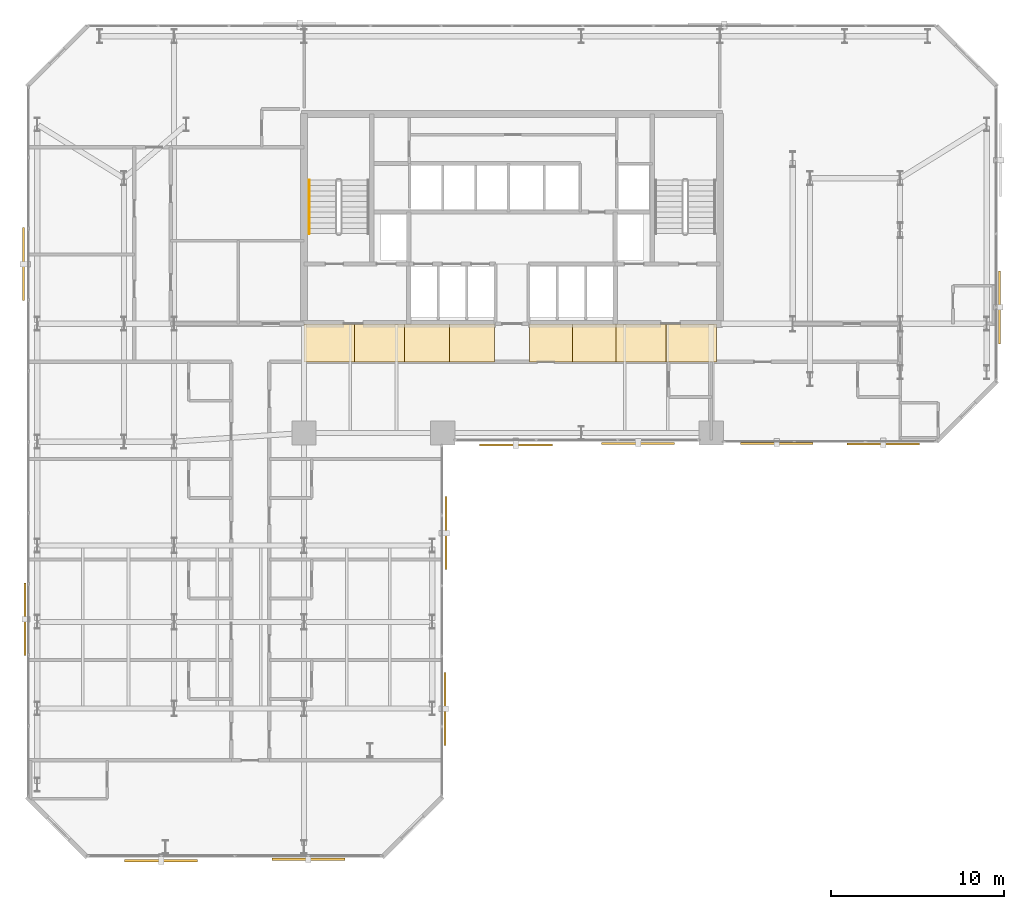
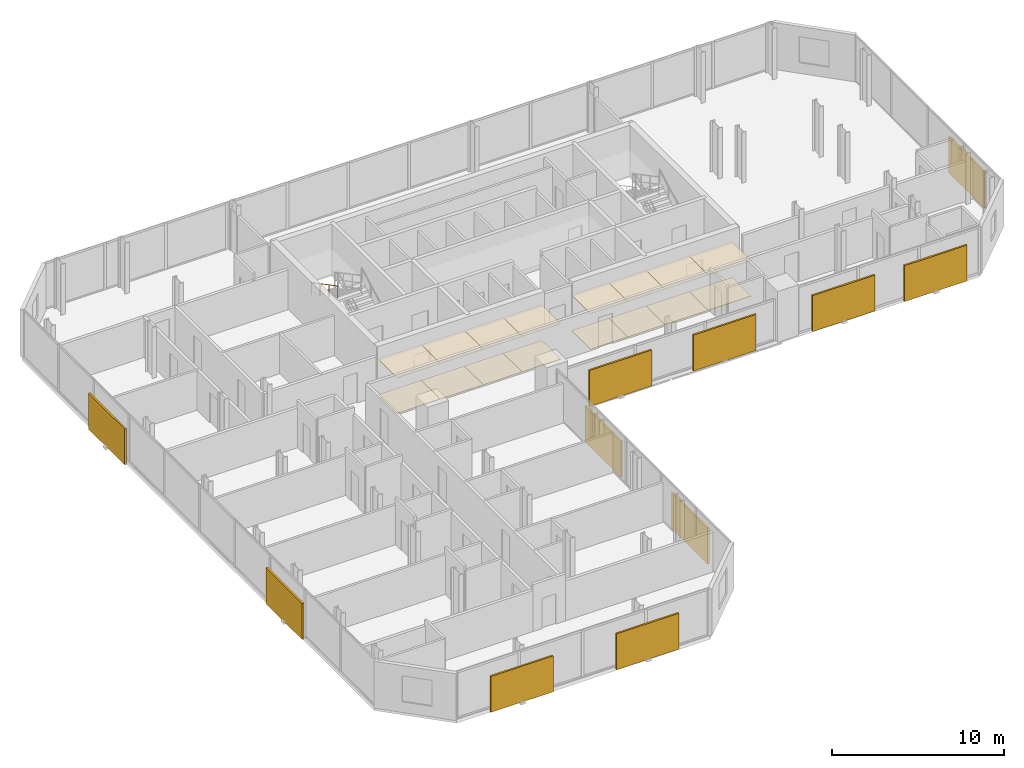
# One storey, part 32 of 33: 16 coverings, 11 shading devices, 1 railing.
"""IFC4 building model written with IfcOpenShell, lengths in metres."""

from ifc_helpers import new_model, si_unit, direction, frame, origin, origin_2d, place, context, subcontext, project, spatial, polyline, rectangle, circle, outline, extrude, material, layer, layer_set, type_object, element, save


model = new_model("IFC4")

# Units and contexts
model_context = context("Model", 3, precision=1e-05, world=origin(), true_north=direction((0.0, 1.0)))
body_context = subcontext(model_context, "Body", "Model", "MODEL_VIEW")
ifc_project = project(units=[si_unit("LENGTHUNIT", "METRE"), si_unit("AREAUNIT", "SQUARE_METRE"), si_unit("VOLUMEUNIT", "CUBIC_METRE"), si_unit("PLANEANGLEUNIT", "RADIAN"), si_unit("MASSUNIT", "GRAM", prefix="KILO")], contexts=[model_context])

# Site, building, storey
site_placement = place(None, origin())
site = spatial("IfcSite", under=ifc_project, at=site_placement, CompositionType="ELEMENT")
building_placement = place(site_placement, origin())
building = spatial("IfcBuilding", under=site, at=building_placement, Name="Catumbela Crestline Tower", CompositionType="ELEMENT")
storey_placement = place(building_placement, frame((0.0, 0.0, 72.6)))
storey = spatial("IfcBuildingStorey", under=building, at=storey_placement, Name="L18", CompositionType="ELEMENT", Elevation=72.6)

# Coverings
ifc_material_1 = material(Name="Mineral-fibre acoustic ceiling")
ifc_layer_1 = layer(ifc_material_1, 0.03, Name="Mineral-fibre acoustic ceiling")
ifc_layer_set_1 = layer_set([ifc_layer_1], Name="Mineral-fibre acoustic ceiling")
covering_type_1 = type_object("IfcCoveringType", Name="CC-AC", PredefinedType="CEILING", material=ifc_layer_set_1)
covering_1_placement = place(storey_placement, frame((0.0, 0.0, 2.52)))
element("IfcCovering", 1, at=covering_1_placement, inside=storey, type_object=covering_type_1, Name="L18 Corridor Acoustic Ceiling Bay 1", PredefinedType="CEILING", context=body_context, shape_type="SweptSolid", body=[
    extrude(outline(polyline([(16.0, 28.6), (18.9, 28.6), (18.9, 30.8), (16.0, 30.8), (16.0, 28.6)])), origin(), (0.0, 0.0, 1.0), 0.03),
])
covering_2_placement = place(storey_placement, frame((0.0, 0.0, 2.52)))
element("IfcCovering", 2, at=covering_2_placement, inside=storey, type_object=covering_type_1, Name="L18 Corridor Acoustic Ceiling Bay 2", PredefinedType="CEILING", context=body_context, shape_type="SweptSolid", body=[
    extrude(outline(polyline([(18.9, 28.6), (21.8, 28.6), (21.8, 30.8), (18.9, 30.8), (18.9, 28.6)])), origin(), (0.0, 0.0, 1.0), 0.03),
])
covering_3_placement = place(storey_placement, frame((0.0, 0.0, 2.52)))
element("IfcCovering", 3, at=covering_3_placement, inside=storey, type_object=covering_type_1, Name="L18 Corridor Acoustic Ceiling Bay 3", PredefinedType="CEILING", context=body_context, shape_type="SweptSolid", body=[
    extrude(outline(polyline([(21.8, 28.6), (24.4, 28.6), (24.4, 30.8), (21.8, 30.8), (21.8, 28.6)])), origin(), (0.0, 0.0, 1.0), 0.03),
])
covering_4_placement = place(storey_placement, frame((0.0, 0.0, 2.52)))
element("IfcCovering", 4, at=covering_4_placement, inside=storey, type_object=covering_type_1, Name="L18 Corridor Acoustic Ceiling Bay 4", PredefinedType="CEILING", context=body_context, shape_type="SweptSolid", body=[
    extrude(outline(polyline([(24.4, 28.6), (27.0, 28.6), (27.0, 30.8), (24.4, 30.8), (24.4, 28.6)])), origin(), (0.0, 0.0, 1.0), 0.03),
])
covering_5_placement = place(storey_placement, frame((0.0, 0.0, 2.52)))
element("IfcCovering", 5, at=covering_5_placement, inside=storey, type_object=covering_type_1, Name="L18 Corridor Acoustic Ceiling Bay 5", PredefinedType="CEILING", context=body_context, shape_type="SweptSolid", body=[
    extrude(outline(polyline([(29.0, 28.6), (31.5, 28.6), (31.5, 30.8), (29.0, 30.8), (29.0, 28.6)])), origin(), (0.0, 0.0, 1.0), 0.03),
])
covering_6_placement = place(storey_placement, frame((0.0, 0.0, 2.52)))
element("IfcCovering", 6, at=covering_6_placement, inside=storey, type_object=covering_type_1, Name="L18 Corridor Acoustic Ceiling Bay 6", PredefinedType="CEILING", context=body_context, shape_type="SweptSolid", body=[
    extrude(outline(polyline([(31.5, 28.6), (34.0, 28.6), (34.0, 30.8), (31.5, 30.8), (31.5, 28.6)])), origin(), (0.0, 0.0, 1.0), 0.03),
])
covering_7_placement = place(storey_placement, frame((0.0, 0.0, 2.52)))
element("IfcCovering", 7, at=covering_7_placement, inside=storey, type_object=covering_type_1, Name="L18 Corridor Acoustic Ceiling Bay 7", PredefinedType="CEILING", context=body_context, shape_type="SweptSolid", body=[
    extrude(outline(polyline([(34.0, 28.6), (36.9, 28.6), (36.9, 30.8), (34.0, 30.8), (34.0, 28.6)])), origin(), (0.0, 0.0, 1.0), 0.03),
])
covering_8_placement = place(storey_placement, frame((0.0, 0.0, 2.52)))
element("IfcCovering", 8, at=covering_8_placement, inside=storey, type_object=covering_type_1, Name="L18 Corridor Acoustic Ceiling Bay 8", PredefinedType="CEILING", context=body_context, shape_type="SweptSolid", body=[
    extrude(outline(polyline([(36.9, 28.6), (39.8, 28.6), (39.8, 30.8), (36.9, 30.8), (36.9, 28.6)])), origin(), (0.0, 0.0, 1.0), 0.03),
])
ifc_material_2 = material(Name="Angolan grey-ochre granite", Category="masonry")
ifc_layer_2 = layer(ifc_material_2, 0.025, Name="Angolan grey-ochre granite")
ifc_layer_set_2 = layer_set([ifc_layer_2], Name="Angolan grey-ochre granite")
covering_type_2 = type_object("IfcCoveringType", Name="CF-GR", PredefinedType="FLOORING", material=ifc_layer_set_2)
covering_9_placement = place(storey_placement, origin())
element("IfcCovering", 9, at=covering_9_placement, inside=storey, type_object=covering_type_2, Name="L18 Corridor Granite Flooring Bay 1", PredefinedType="FLOORING", context=body_context, shape_type="SweptSolid", body=[
    extrude(outline(polyline([(16.0, 28.6), (18.9, 28.6), (18.9, 30.8), (16.0, 30.8), (16.0, 28.6)])), origin(), (0.0, 0.0, 1.0), 0.025),
])
covering_10_placement = place(storey_placement, origin())
element("IfcCovering", 10, at=covering_10_placement, inside=storey, type_object=covering_type_2, Name="L18 Corridor Granite Flooring Bay 2", PredefinedType="FLOORING", context=body_context, shape_type="SweptSolid", body=[
    extrude(outline(polyline([(18.9, 28.6), (21.8, 28.6), (21.8, 30.8), (18.9, 30.8), (18.9, 28.6)])), origin(), (0.0, 0.0, 1.0), 0.025),
])
covering_11_placement = place(storey_placement, origin())
element("IfcCovering", 11, at=covering_11_placement, inside=storey, type_object=covering_type_2, Name="L18 Corridor Granite Flooring Bay 3", PredefinedType="FLOORING", context=body_context, shape_type="SweptSolid", body=[
    extrude(outline(polyline([(21.8, 28.6), (24.4, 28.6), (24.4, 30.8), (21.8, 30.8), (21.8, 28.6)])), origin(), (0.0, 0.0, 1.0), 0.025),
])
covering_12_placement = place(storey_placement, origin())
element("IfcCovering", 12, at=covering_12_placement, inside=storey, type_object=covering_type_2, Name="L18 Corridor Granite Flooring Bay 4", PredefinedType="FLOORING", context=body_context, shape_type="SweptSolid", body=[
    extrude(outline(polyline([(24.4, 28.6), (27.0, 28.6), (27.0, 30.8), (24.4, 30.8), (24.4, 28.6)])), origin(), (0.0, 0.0, 1.0), 0.025),
])
covering_13_placement = place(storey_placement, origin())
element("IfcCovering", 13, at=covering_13_placement, inside=storey, type_object=covering_type_2, Name="L18 Corridor Granite Flooring Bay 5", PredefinedType="FLOORING", context=body_context, shape_type="SweptSolid", body=[
    extrude(outline(polyline([(29.0, 28.6), (31.5, 28.6), (31.5, 30.8), (29.0, 30.8), (29.0, 28.6)])), origin(), (0.0, 0.0, 1.0), 0.025),
])
covering_14_placement = place(storey_placement, origin())
element("IfcCovering", 14, at=covering_14_placement, inside=storey, type_object=covering_type_2, Name="L18 Corridor Granite Flooring Bay 6", PredefinedType="FLOORING", context=body_context, shape_type="SweptSolid", body=[
    extrude(outline(polyline([(31.5, 28.6), (34.0, 28.6), (34.0, 30.8), (31.5, 30.8), (31.5, 28.6)])), origin(), (0.0, 0.0, 1.0), 0.025),
])
covering_15_placement = place(storey_placement, origin())
element("IfcCovering", 15, at=covering_15_placement, inside=storey, type_object=covering_type_2, Name="L18 Corridor Granite Flooring Bay 7", PredefinedType="FLOORING", context=body_context, shape_type="SweptSolid", body=[
    extrude(outline(polyline([(34.0, 28.6), (36.9, 28.6), (36.9, 30.8), (34.0, 30.8), (34.0, 28.6)])), origin(), (0.0, 0.0, 1.0), 0.025),
])
covering_16_placement = place(storey_placement, origin())
element("IfcCovering", 16, at=covering_16_placement, inside=storey, type_object=covering_type_2, Name="L18 Corridor Granite Flooring Bay 8", PredefinedType="FLOORING", context=body_context, shape_type="SweptSolid", body=[
    extrude(outline(polyline([(36.9, 28.6), (39.8, 28.6), (39.8, 30.8), (36.9, 30.8), (36.9, 28.6)])), origin(), (0.0, 0.0, 1.0), 0.025),
])

# Railing
ifc_material_3 = material(Name="Stainless steel EN 1.4401", Category="steel")
railing_type = type_object("IfcRailingType", Name="RH-0900", PredefinedType="HANDRAIL", material=ifc_material_3)
railing_placement = place(storey_placement, frame((16.3, 39.1, 1.9636)))
element("IfcRailing", 17, at=railing_placement, inside=storey, type_object=railing_type, Name="L18 ST-01 stair handrail 2", PredefinedType="HANDRAIL", context=body_context, shape_type="SweptSolid", body=[
    extrude(circle(Radius=0.024, at=origin_2d()), frame((0.0, 0.0, 0.876), z_axis=(0.0, -0.884350731049, 0.466823076222), x_axis=(1.0, 0.0, 0.0)), (0.0, 0.0, 1.0), 3.5054),
    extrude(circle(Radius=0.021, at=origin_2d()), origin(), (0.0, 0.0, 1.0), 0.852),
    extrude(circle(Radius=0.021, at=origin_2d()), frame((0.0, -1.0333, 0.5455)), (0.0, 0.0, 1.0), 0.852),
    extrude(circle(Radius=0.021, at=origin_2d()), frame((0.0, -2.0667, 1.0909)), (0.0, 0.0, 1.0), 0.852),
    extrude(circle(Radius=0.021, at=origin_2d()), frame((0.0, -3.1, 1.6364)), (0.0, 0.0, 1.0), 0.852),
])

# Shading devices
ifc_material_4 = material(Name="Extruded terracotta ceramic", Category="masonry")
shading_device_type_1 = type_object("IfcShadingDeviceType", Name="ST-180", PredefinedType="USERDEFINED", material=ifc_material_4)
for number, where, z_axis, x_axis, name in (
    (18, (16.25, -0.099, -0.1), (0.0, 0.0, 1.0), (1.0, 0.0, 0.0), "L18 Perforated Terracotta Solar Screen 184 (180 mm)"),
    (19, (35.275, 23.901, -0.1), (0.0, 0.0, 1.0), (1.0, 0.0, 0.0), "L18 Perforated Terracotta Solar Screen 188 (180 mm)"),
    (20, (43.275, 23.901, -0.1), (0.0, 0.0, 1.0), (1.0, 0.0, 0.0), "L18 Perforated Terracotta Solar Screen 189 (180 mm)"),
    (21, (-0.099, 13.75, -0.1), (0.0, 0.0, 1.0), (0.0, -1.0, 0.0), "L18 Perforated Terracotta Solar Screen 196 (180 mm)"),
):
    element("IfcShadingDevice", number, at=place(storey_placement, frame(where, z_axis=z_axis, x_axis=x_axis)), inside=storey, type_object=shading_device_type_1, Name=name, ObjectType="SCREEN", PredefinedType="USERDEFINED", context=body_context, shape_type="SweptSolid", body=[
        extrude(rectangle(XDim=4.2, YDim=0.12, at=origin_2d()), origin(), (0.0, 0.0, 1.0), 2.55),
    ])
shading_device_type_2 = type_object("IfcShadingDeviceType", Name="ST-260", PredefinedType="USERDEFINED", material=ifc_material_4)
for number, where, z_axis, x_axis, name in (
    (22, (24.143, 8.575, -0.1), (0.0, 0.0, 1.0), (0.0, 1.0, 0.0), "L18 Perforated Terracotta Solar Screen 185 (260 mm)"),
    (23, (49.425, 23.857, -0.1), (0.0, 0.0, 1.0), (1.0, 0.0, 0.0), "L18 Perforated Terracotta Solar Screen 190 (260 mm)"),
    (24, (56.143, 31.75, -0.1), (0.0, 0.0, 1.0), (0.0, 1.0, 0.0), "L18 Perforated Terracotta Solar Screen 191 (260 mm)"),
):
    element("IfcShadingDevice", number, at=place(storey_placement, frame(where, z_axis=z_axis, x_axis=x_axis)), inside=storey, type_object=shading_device_type_2, Name=name, ObjectType="SCREEN", PredefinedType="USERDEFINED", context=body_context, shape_type="SweptSolid", body=[
        extrude(rectangle(XDim=4.2, YDim=0.12, at=origin_2d()), origin(), (0.0, 0.0, 1.0), 2.55),
    ])
shading_device_type_3 = type_object("IfcShadingDeviceType", Name="ST-340", PredefinedType="USERDEFINED", material=ifc_material_4)
for number, where, z_axis, x_axis, name in (
    (25, (7.75, -0.187, -0.1), (0.0, 0.0, 1.0), (1.0, 0.0, 0.0), "L18 Perforated Terracotta Solar Screen 183 (340 mm)"),
    (26, (24.187, 18.725, -0.1), (0.0, 0.0, 1.0), (0.0, 1.0, 0.0), "L18 Perforated Terracotta Solar Screen 186 (340 mm)"),
    (27, (28.225, 23.813, -0.1), (0.0, 0.0, 1.0), (1.0, 0.0, 0.0), "L18 Perforated Terracotta Solar Screen 187 (340 mm)"),
    (28, (-0.187, 34.25, -0.1), (0.0, 0.0, 1.0), (0.0, -1.0, 0.0), "L18 Perforated Terracotta Solar Screen 195 (340 mm)"),
):
    element("IfcShadingDevice", number, at=place(storey_placement, frame(where, z_axis=z_axis, x_axis=x_axis)), inside=storey, type_object=shading_device_type_3, Name=name, ObjectType="SCREEN", PredefinedType="USERDEFINED", context=body_context, shape_type="SweptSolid", body=[
        extrude(rectangle(XDim=4.2, YDim=0.12, at=origin_2d()), origin(), (0.0, 0.0, 1.0), 2.55),
    ])

save(model, "model.ifc")
